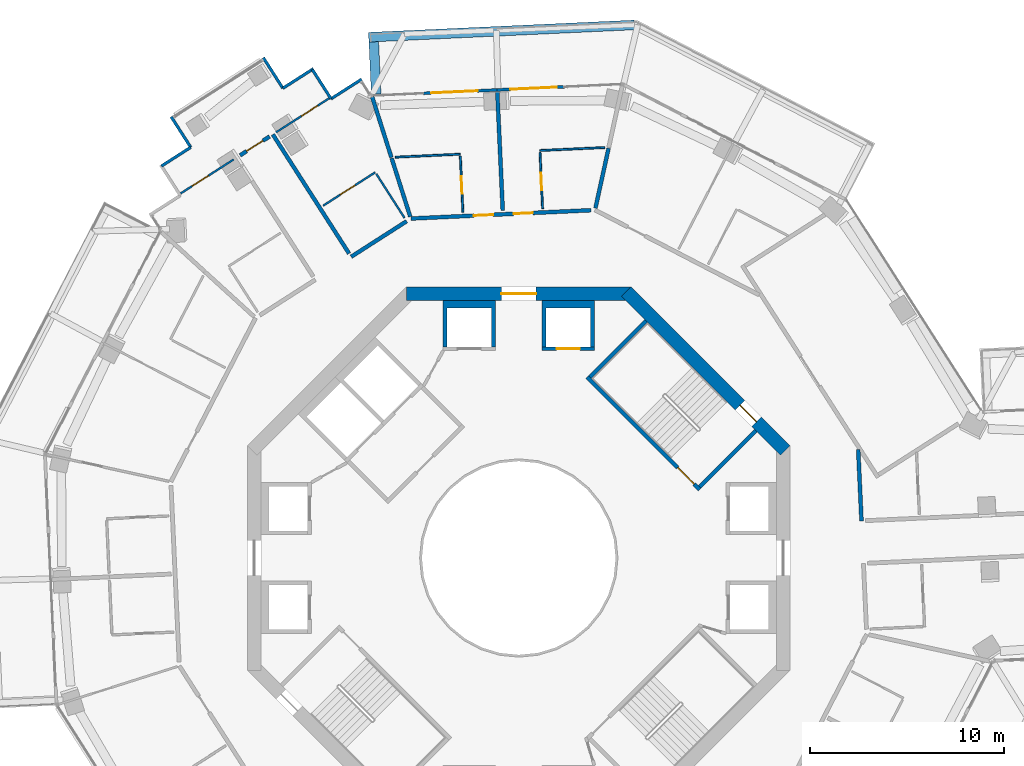
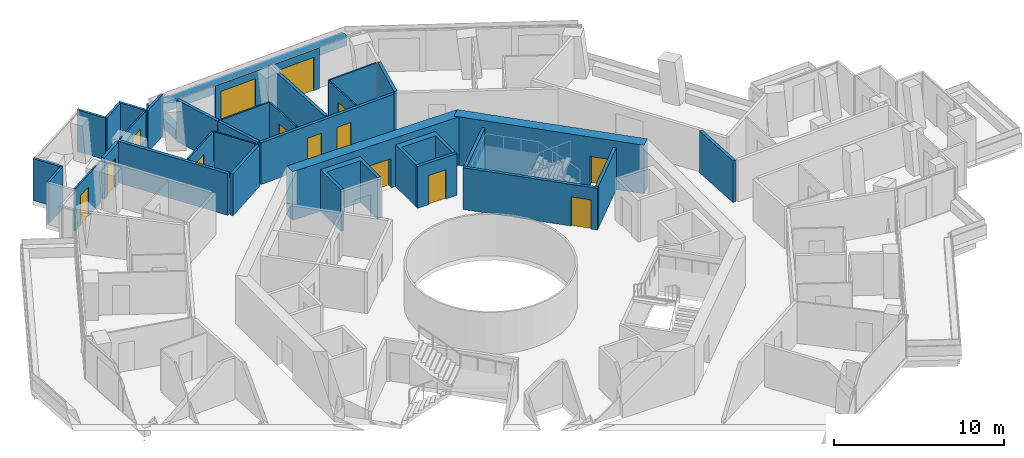
# One storey, part 18 of 22: 35 walls, 14 doors, 14 openings.
"""IFC4 building model written with IfcOpenShell, lengths in metres."""

from ifc_helpers import new_model, si_unit, direction, frame, frame_2d, origin, place, context, subcontext, project, spatial, polyline, rectangle, outline, extrude, material, layer, layer_set, type_object, element, fill, save


model = new_model("IFC4")

# Units and contexts
model_context = context("Model", 3, precision=1e-05, world=origin(), true_north=direction((0.0, 1.0)))
body_context = subcontext(model_context, "Body", "Model", "MODEL_VIEW")
ifc_project = project(units=[si_unit("LENGTHUNIT", "METRE"), si_unit("AREAUNIT", "SQUARE_METRE"), si_unit("VOLUMEUNIT", "CUBIC_METRE"), si_unit("PLANEANGLEUNIT", "RADIAN"), si_unit("MASSUNIT", "GRAM", prefix="KILO")], contexts=[model_context])

# Site, building, storey
site_placement = place(None, origin())
site = spatial("IfcSite", under=ifc_project, at=site_placement, CompositionType="ELEMENT")
building_placement = place(site_placement, origin())
building = spatial("IfcBuilding", under=site, at=building_placement, Name="Verdalira Terraces Hotel", CompositionType="ELEMENT")
storey_placement = place(building_placement, frame((0.0, 0.0, 165.5)))
storey = spatial("IfcBuildingStorey", under=building, at=storey_placement, Name="L40", CompositionType="ELEMENT", Elevation=165.5)

# Walls
ifc_material_1 = material(Name="Concrete C40", Category="concrete")
ifc_layer_1 = layer(ifc_material_1, 0.5)
ifc_layer_set_1 = layer_set([ifc_layer_1], Name="Balcony planter trough with tree")
wall_type_1 = type_object("IfcWallType", Name="Balcony planter trough with tree", PredefinedType="SOLIDWALL", material=ifc_layer_set_1)
wall_1_placement = place(storey_placement, frame((5.962646, 27.512207, 0.0), z_axis=(0.0, 0.0, 1.0), x_axis=(-0.998938764, -0.046058065, 0.0)))
element("IfcWall", 1, at=wall_1_placement, inside=storey, type_object=wall_type_1, Name="Balcony planter", PredefinedType="SOLIDWALL", context=body_context, shape_type="SweptSolid", body=[
    extrude(rectangle(XDim=13.723633, YDim=0.5, at=frame_2d((6.861816, 0.0))), origin(), (0.0, 0.0, 1.0), 0.699951),
])
wall_2_placement = place(storey_placement, frame((-7.485107, 26.641846, 0.0), z_axis=(0.0, 0.0, 1.0), x_axis=(0.046043663, -0.998939428, 0.0)))
element("IfcWall", 2, at=wall_2_placement, inside=storey, type_object=wall_type_1, Name="Balcony planter", PredefinedType="SOLIDWALL", context=body_context, shape_type="SweptSolid", body=[
    extrude(rectangle(XDim=2.698975, YDim=0.5, at=frame_2d((1.349609, 0.0))), origin(), (0.0, 0.0, 1.0), 0.699951),
])

# Wall, opening, door
ifc_material_2 = material(Name="Moisture-resistant gypsum board partition")
ifc_layer_2 = layer(ifc_material_2, 0.10009765625)
ifc_layer_set_2 = layer_set([ifc_layer_2], Name="Bathroom partition 100 mm")
wall_type_2 = type_object("IfcWallType", Name="Bathroom partition 100 mm", PredefinedType="PARTITIONING", material=ifc_layer_set_2)
wall_3_placement = place(storey_placement, frame((-14.718018, 20.568359, 0.0), z_axis=(0.0, 0.0, 1.0), x_axis=(-0.842040901, -0.539413683, 0.0)))
wall_3 = element("IfcWall", 3, at=wall_3_placement, inside=storey, type_object=wall_type_2, Name="Bathroom partition", PredefinedType="PARTITIONING", context=body_context, shape_type="SweptSolid", body=[
    extrude(rectangle(XDim=3.251953, YDim=0.100098, at=frame_2d((1.625977, 0.0))), origin(), (0.0, 0.0, 1.0), 3.0),
])
opening_1_placement = place(wall_3_placement, frame((1.550049, 0.0, 0.0)))
opening_1 = element("IfcOpeningElement", 4, at=opening_1_placement, cuts=wall_3, Name="Opening L40-103", PredefinedType="OPENING", context=body_context, shape_type="SweptSolid", body=[
    extrude(rectangle(XDim=1.0, YDim=2.100098, at=frame_2d((0.5, 1.050049))), frame((0.0, 0.060059, 0.0), z_axis=(0.0, -1.0, 0.0), x_axis=(1.0, 0.0, 0.0)), (0.0, 0.0, 1.0), 0.120117),
])
ifc_material_3 = material(Name="Timber door", Category="wood")
door_type_1 = type_object("IfcDoorType", Name="Suite internal door 1000 x 2100", OperationType="NOTDEFINED", PredefinedType="DOOR", material=ifc_material_3)
door_1_placement = place(opening_1_placement, origin())
door_1 = element("IfcDoor", 5, at=door_1_placement, inside=storey, type_object=door_type_1, Name="Suite internal door 4001", OperationType="SINGLE_SWING_LEFT", OverallHeight=2.10009765625, OverallWidth=1.0, PredefinedType="DOOR", context=body_context, shape_type="SweptSolid", body=[
    extrude(rectangle(XDim=1.0, YDim=2.100098, at=frame_2d((0.5, 1.050049))), frame((0.0, 0.024902, 0.0), z_axis=(0.0, -1.0, 0.0), x_axis=(1.0, 0.0, 0.0)), (0.0, 0.0, 1.0), 0.050049),
])
fill(opening_1, door_1)

wall_4_placement = place(storey_placement, frame((-9.790283, 23.724609, 0.0), z_axis=(0.0, 0.0, 1.0), x_axis=(-0.842075, -0.539360449, 0.0)))
wall_4 = element("IfcWall", 6, at=wall_4_placement, inside=storey, type_object=wall_type_2, Name="Bathroom partition", PredefinedType="PARTITIONING", context=body_context, shape_type="SweptSolid", body=[
    extrude(rectangle(XDim=3.251709, YDim=0.100098, at=frame_2d((1.625977, 0.0))), origin(), (0.0, 0.0, 1.0), 3.0),
])
opening_2_placement = place(wall_4_placement, frame((0.699951, 0.0, 0.0)))
opening_2 = element("IfcOpeningElement", 7, at=opening_2_placement, cuts=wall_4, Name="Opening L40-102", PredefinedType="OPENING", context=body_context, shape_type="SweptSolid", body=[
    extrude(rectangle(XDim=1.0, YDim=2.100098, at=frame_2d((0.5, 1.050049))), frame((0.0, 0.060059, 0.0), z_axis=(0.0, -1.0, 0.0), x_axis=(1.0, 0.0, 0.0)), (0.0, 0.0, 1.0), 0.120117),
])
door_2_placement = place(opening_2_placement, origin())
door_2 = element("IfcDoor", 8, at=door_2_placement, inside=storey, type_object=door_type_1, Name="Suite internal door 4001", OperationType="SINGLE_SWING_LEFT", OverallHeight=2.10009765625, OverallWidth=1.0, PredefinedType="DOOR", context=body_context, shape_type="SweptSolid", body=[
    extrude(rectangle(XDim=1.0, YDim=2.100098, at=frame_2d((0.5, 1.050049))), frame((0.0, 0.024902, 0.0), z_axis=(0.0, -1.0, 0.0), x_axis=(1.0, 0.0, 0.0)), (0.0, 0.0, 1.0), 0.050049),
])
fill(opening_2, door_2)

wall_5_placement = place(storey_placement, frame((-7.406738, 19.907227, 0.0), z_axis=(0.0, 0.0, 1.0), x_axis=(-0.842109253, -0.539306968, 0.0)))
wall_5 = element("IfcWall", 9, at=wall_5_placement, inside=storey, type_object=wall_type_2, Name="Bathroom partition", PredefinedType="PARTITIONING", context=body_context, shape_type="SweptSolid", body=[
    extrude(rectangle(XDim=3.200195, YDim=0.100098, at=frame_2d((1.600098, 0.0))), origin(), (0.0, 0.0, 1.0), 3.0),
])
opening_3_placement = place(wall_5_placement, frame((1.25, 0.0, 0.0)))
opening_3 = element("IfcOpeningElement", 10, at=opening_3_placement, cuts=wall_5, Name="Opening L40-104", PredefinedType="OPENING", context=body_context, shape_type="SweptSolid", body=[
    extrude(rectangle(XDim=0.899902, YDim=2.100098, at=frame_2d((0.449951, 1.050049))), frame((0.0, 0.060059, 0.0), z_axis=(0.0, -1.0, 0.0), x_axis=(1.0, 0.0, 0.0)), (0.0, 0.0, 1.0), 0.120117),
])
ifc_material_4 = material(Name="Timber door", Category="wood")
door_type_2 = type_object("IfcDoorType", Name="Bathroom door 900 x 2100", OperationType="NOTDEFINED", PredefinedType="DOOR", material=ifc_material_4)
door_3_placement = place(opening_3_placement, origin())
door_3 = element("IfcDoor", 11, at=door_3_placement, inside=storey, type_object=door_type_2, Name="Bathroom door 4001", OperationType="SINGLE_SWING_LEFT", OverallHeight=2.10009765625, OverallWidth=0.89990234375, PredefinedType="DOOR", context=body_context, shape_type="SweptSolid", body=[
    extrude(rectangle(XDim=0.899902, YDim=2.100098, at=frame_2d((0.449951, 1.050049))), frame((0.0, 0.024902, 0.0), z_axis=(0.0, -1.0, 0.0), x_axis=(1.0, 0.0, 0.0)), (0.0, 0.0, 1.0), 0.050049),
])
fill(opening_3, door_3)

# Walls
wall_6_placement = place(storey_placement, frame((-5.896484, 17.549316, 0.0), z_axis=(0.0, 0.0, 1.0), x_axis=(-0.539353864, 0.842079218, 0.0)))
element("IfcWall", 12, at=wall_6_placement, inside=storey, type_object=wall_type_2, Name="Bathroom partition", PredefinedType="PARTITIONING", context=body_context, shape_type="SweptSolid", body=[
    extrude(rectangle(XDim=2.700195, YDim=0.100098, at=frame_2d((1.350098, 0.0))), origin(), (0.0, 0.0, 1.0), 3.0),
])
wall_7_placement = place(storey_placement, frame((-6.368408, 20.687012, 0.0), z_axis=(0.0, 0.0, 1.0), x_axis=(0.998939035, 0.04605219, 0.0)))
element("IfcWall", 13, at=wall_7_placement, inside=storey, type_object=wall_type_2, Name="Bathroom partition", PredefinedType="PARTITIONING", context=body_context, shape_type="SweptSolid", body=[
    extrude(rectangle(XDim=3.350586, YDim=0.100098, at=frame_2d((1.675293, 0.0))), origin(), (0.0, 0.0, 1.0), 3.0),
])

# Wall, opening, door
wall_8_placement = place(storey_placement, frame((-2.883301, 17.844482, 0.0), z_axis=(0.0, 0.0, 1.0), x_axis=(-0.046049193, 0.998939173, 0.0)))
wall_8 = element("IfcWall", 14, at=wall_8_placement, inside=storey, type_object=wall_type_2, Name="Bathroom partition", PredefinedType="PARTITIONING", context=body_context, shape_type="SweptSolid", body=[
    extrude(rectangle(XDim=2.900146, YDim=0.100098, at=frame_2d((1.450195, 0.0))), origin(), (0.0, 0.0, 1.0), 3.0),
])
opening_4_placement = place(wall_8_placement, frame((0.949951, 0.0, 0.0)))
opening_4 = element("IfcOpeningElement", 15, at=opening_4_placement, cuts=wall_8, Name="Opening L40-139", PredefinedType="OPENING", context=body_context, shape_type="SweptSolid", body=[
    extrude(rectangle(XDim=0.899902, YDim=2.100098, at=frame_2d((0.449951, 1.050049))), frame((0.0, 0.060059, 0.0), z_axis=(0.0, -1.0, 0.0), x_axis=(1.0, 0.0, 0.0)), (0.0, 0.0, 1.0), 0.120117),
])
door_4_placement = place(opening_4_placement, origin())
door_4 = element("IfcDoor", 16, at=door_4_placement, inside=storey, type_object=door_type_2, Name="Bathroom door 4012", OperationType="SINGLE_SWING_RIGHT", OverallHeight=2.10009765625, OverallWidth=0.89990234375, PredefinedType="DOOR", context=body_context, shape_type="SweptSolid", body=[
    extrude(rectangle(XDim=0.899902, YDim=2.100098, at=frame_2d((0.449951, 1.050049))), frame((0.0, 0.024902, 0.0), z_axis=(0.0, -1.0, 0.0), x_axis=(1.0, 0.0, 0.0)), (0.0, 0.0, 1.0), 0.050049),
])
fill(opening_4, door_4)

wall_9_placement = place(storey_placement, frame((1.095459, 20.930908, 0.0), z_axis=(0.0, 0.0, 1.0), x_axis=(0.046053066, -0.998938995, 0.0)))
wall_9 = element("IfcWall", 17, at=wall_9_placement, inside=storey, type_object=wall_type_2, Name="Bathroom partition", PredefinedType="PARTITIONING", context=body_context, shape_type="SweptSolid", body=[
    extrude(rectangle(XDim=2.899902, YDim=0.100098, at=frame_2d((1.449951, 0.0))), origin(), (0.0, 0.0, 1.0), 3.0),
])
opening_5_placement = place(wall_9_placement, frame((1.050049, 0.0, 0.0)))
opening_5 = element("IfcOpeningElement", 18, at=opening_5_placement, cuts=wall_9, Name="Opening L40-137", PredefinedType="OPENING", context=body_context, shape_type="SweptSolid", body=[
    extrude(rectangle(XDim=0.899902, YDim=2.100098, at=frame_2d((0.449951, 1.050049))), frame((0.0, 0.060059, 0.0), z_axis=(0.0, -1.0, 0.0), x_axis=(1.0, 0.0, 0.0)), (0.0, 0.0, 1.0), 0.120117),
])
door_5_placement = place(opening_5_placement, origin())
door_5 = element("IfcDoor", 19, at=door_5_placement, inside=storey, type_object=door_type_2, Name="Bathroom door 4011", OperationType="SINGLE_SWING_LEFT", OverallHeight=2.10009765625, OverallWidth=0.89990234375, PredefinedType="DOOR", context=body_context, shape_type="SweptSolid", body=[
    extrude(rectangle(XDim=0.899902, YDim=2.100098, at=frame_2d((0.449951, 1.050049))), frame((0.0, 0.024902, 0.0), z_axis=(0.0, -1.0, 0.0), x_axis=(1.0, 0.0, 0.0)), (0.0, 0.0, 1.0), 0.050049),
])
fill(opening_5, door_5)

# Walls
wall_10_placement = place(storey_placement, frame((1.09082, 21.031006, 0.0), z_axis=(0.0, 0.0, 1.0), x_axis=(0.998938881, 0.046055542, 0.0)))
element("IfcWall", 20, at=wall_10_placement, inside=storey, type_object=wall_type_2, Name="Bathroom partition", PredefinedType="PARTITIONING", context=body_context, shape_type="SweptSolid", body=[
    extrude(rectangle(XDim=3.350342, YDim=0.100098, at=frame_2d((1.675293, 0.0))), origin(), (0.0, 0.0, 1.0), 3.0),
])
ifc_material_5 = material(Name="Concrete C50", Category="concrete")
ifc_layer_3 = layer(ifc_material_5, 0.199951171875)
ifc_layer_set_3 = layer_set([ifc_layer_3], Name="Core RC wall 200 C50")
wall_type_3 = type_object("IfcWallType", Name="Core RC wall 200 C50", PredefinedType="SOLIDWALL", material=ifc_layer_set_3)
wall_11_placement = place(storey_placement, origin())
element("IfcWall", 21, at=wall_11_placement, inside=storey, type_object=wall_type_3, Name="L40 shaft wall N1", PredefinedType="SOLIDWALL", context=body_context, shape_type="SweptSolid", body=[
    extrude(outline(polyline([(3.899902, 13.300049), (3.899902, 10.899902), (3.699951, 10.899902), (3.699951, 12.899902), (1.399902, 12.899902), (1.399902, 10.899902), (1.199951, 10.899902), (1.199951, 13.300049), (3.899902, 13.300049)])), origin(), (0.0, 0.0, 1.0), 3.0),
])

# Wall, opening, door
wall_12_placement = place(storey_placement, frame((1.199951, 10.800049, 0.0), z_axis=(0.0, 0.0, 1.0), x_axis=(1.0, 0.0, 0.0)))
wall_12 = element("IfcWall", 22, at=wall_12_placement, inside=storey, type_object=wall_type_3, Name="L40 shaft front wall N1", PredefinedType="SOLIDWALL", context=body_context, shape_type="SweptSolid", body=[
    extrude(rectangle(XDim=2.699951, YDim=0.199951, at=frame_2d((1.350098, 0.0))), origin(), (0.0, 0.0, 1.0), 3.0),
])
opening_6_placement = place(wall_12_placement, frame((0.75, 0.0, 0.0)))
opening_6 = element("IfcOpeningElement", 23, at=opening_6_placement, cuts=wall_12, Name="Opening LD-L40-803", PredefinedType="OPENING", context=body_context, shape_type="SweptSolid", body=[
    extrude(rectangle(XDim=1.199951, YDim=2.100098, at=frame_2d((0.600098, 1.050049))), frame((0.0, 0.109863, 0.0), z_axis=(0.0, -1.0, 0.0), x_axis=(1.0, 0.0, 0.0)), (0.0, 0.0, 1.0), 0.219971),
])
ifc_material_6 = material(Name="Stainless steel", Category="steel")
door_type_3 = type_object("IfcDoorType", Name="Landing door 1200 x 2100", OperationType="NOTDEFINED", PredefinedType="DOOR", material=ifc_material_6)
door_6_placement = place(opening_6_placement, origin())
door_6 = element("IfcDoor", 24, at=door_6_placement, inside=storey, type_object=door_type_3, Name="Lift landing door LR3 L40", OperationType="DOUBLE_DOOR_SLIDING", OverallHeight=2.10009765625, OverallWidth=1.199951171875, PredefinedType="DOOR", context=body_context, shape_type="SweptSolid", body=[
    extrude(rectangle(XDim=1.199951, YDim=2.100098, at=frame_2d((0.600098, 1.050049))), frame((0.0, 0.024902, 0.0), z_axis=(0.0, -1.0, 0.0), x_axis=(1.0, 0.0, 0.0)), (0.0, 0.0, 1.0), 0.050049),
])
fill(opening_6, door_6)

# Wall
wall_13_placement = place(storey_placement, origin())
element("IfcWall", 25, at=wall_13_placement, inside=storey, type_object=wall_type_3, Name="L40 shaft wall N2", PredefinedType="SOLIDWALL", context=body_context, shape_type="SweptSolid", body=[
    extrude(outline(polyline([(-3.899902, 10.899902), (-3.899902, 13.300049), (-1.199951, 13.300049), (-1.199951, 10.899902), (-1.399902, 10.899902), (-1.399902, 12.899902), (-3.699951, 12.899902), (-3.699951, 10.899902), (-3.899902, 10.899902)])), origin(), (0.0, 0.0, 1.0), 3.0),
])

# Wall, opening, door
wall_14_placement = place(storey_placement, frame((3.5354, 9.33374, 0.0), z_axis=(0.0, 0.0, 1.0), x_axis=(0.707106781, -0.707106781, 0.0)))
wall_14 = element("IfcWall", 26, at=wall_14_placement, inside=storey, type_object=wall_type_3, Name="L40 stair ST1 front wall", PredefinedType="SOLIDWALL", context=body_context, shape_type="SweptSolid", body=[
    extrude(rectangle(XDim=8.200195, YDim=0.199951, at=frame_2d((4.100098, 0.0))), origin(), (0.0, 0.0, 1.0), 3.0),
])
opening_7_placement = place(wall_14_placement, frame((6.600098, 0.0, 0.0)))
opening_7 = element("IfcOpeningElement", 27, at=opening_7_placement, cuts=wall_14, Name="Opening L40-809", PredefinedType="OPENING", context=body_context, shape_type="SweptSolid", body=[
    extrude(rectangle(XDim=1.199951, YDim=2.100098, at=frame_2d((0.600098, 1.050049))), frame((0.0, 0.109863, 0.0), z_axis=(0.0, -1.0, 0.0), x_axis=(1.0, 0.0, 0.0)), (0.0, 0.0, 1.0), 0.219971),
])
ifc_material_7 = material(Name="Steel fire door", Category="steel")
door_type_4 = type_object("IfcDoorType", Name="Stair door 1200 x 2100", OperationType="NOTDEFINED", PredefinedType="DOOR", material=ifc_material_7)
door_7_placement = place(opening_7_placement, origin())
door_7 = element("IfcDoor", 28, at=door_7_placement, inside=storey, type_object=door_type_4, Name="Stair door ST1 L40", OperationType="SINGLE_SWING_RIGHT", OverallHeight=2.10009765625, OverallWidth=1.199951171875, PredefinedType="DOOR", context=body_context, shape_type="SweptSolid", body=[
    extrude(rectangle(XDim=1.199951, YDim=2.100098, at=frame_2d((0.600098, 1.050049))), frame((0.0, 0.024902, 0.0), z_axis=(0.0, -1.0, 0.0), x_axis=(1.0, 0.0, 0.0)), (0.0, 0.0, 1.0), 0.050049),
])
fill(opening_7, door_7)

# Walls
for number, where, z_axis, x_axis, name in (
    (29, (9.33374, 3.677002, 0.0), (0.0, 0.0, 1.0), (0.707106781, 0.707106781, 0.0), "L40 stair ST1 end wall 1"),
    (30, (3.677002, 9.33374, 0.0), (0.0, 0.0, 1.0), (0.707106781, 0.707106781, 0.0), "L40 stair ST1 end wall 2"),
):
    element("IfcWall", number, at=place(storey_placement, frame(where, z_axis=z_axis, x_axis=x_axis)), inside=storey, type_object=wall_type_3, Name=name, PredefinedType="SOLIDWALL", context=body_context, shape_type="SweptSolid", body=[
        extrude(rectangle(XDim=4.100098, YDim=0.199951, at=frame_2d((2.050049, 0.0))), origin(), (0.0, 0.0, 1.0), 3.0),
    ])

# Wall, opening, door
ifc_material_8 = material(Name="Concrete C60", Category="concrete")
ifc_layer_4 = layer(ifc_material_8, 0.699951171875)
ifc_layer_set_4 = layer_set([ifc_layer_4], Name="Core wall 700 C60")
wall_type_4 = type_object("IfcWallType", Name="Core wall 700 C60", PredefinedType="SHEAR", material=ifc_layer_set_4)
wall_15_placement = place(storey_placement, frame((13.752441, 5.551514, 0.0), z_axis=(0.0, 0.0, 1.0), x_axis=(-0.707106781, 0.707106781, 0.0)))
wall_15 = element("IfcWall", 31, at=wall_15_placement, inside=storey, type_object=wall_type_4, Name="Core wall CW-L40-2", PredefinedType="SHEAR", context=body_context, shape_type="SweptSolid", body=[
    extrude(rectangle(XDim=11.5979, YDim=0.699951, at=frame_2d((5.798828, 0.0))), origin(), (0.0, 0.0, 1.0), 3.5),
])
opening_8_placement = place(wall_15_placement, frame((2.099121, 0.0, 0.0)))
opening_8 = element("IfcOpeningElement", 32, at=opening_8_placement, cuts=wall_15, Name="Opening L40-816", PredefinedType="OPENING", context=body_context, shape_type="SweptSolid", body=[
    extrude(rectangle(XDim=1.199951, YDim=2.100098, at=frame_2d((0.600098, 1.050049))), frame((0.0, 0.359863, 0.0), z_axis=(0.0, -1.0, 0.0), x_axis=(1.0, 0.0, 0.0)), (0.0, 0.0, 1.0), 0.719971),
])
door_8_placement = place(opening_8_placement, origin())
door_8 = element("IfcDoor", 33, at=door_8_placement, inside=storey, type_object=door_type_4, Name="Stair exit door ST1 L40", OperationType="SINGLE_SWING_LEFT", OverallHeight=2.10009765625, OverallWidth=1.199951171875, PredefinedType="DOOR", context=body_context, shape_type="SweptSolid", body=[
    extrude(rectangle(XDim=1.199951, YDim=2.100098, at=frame_2d((0.600098, 1.050049))), frame((0.0, 0.024902, 0.0), z_axis=(0.0, -1.0, 0.0), x_axis=(1.0, 0.0, 0.0)), (0.0, 0.0, 1.0), 0.050049),
])
fill(opening_8, door_8)

wall_16_placement = place(storey_placement, frame((5.799072, 13.649902, 0.0), z_axis=(0.0, 0.0, 1.0), x_axis=(-1.0, 0.0, 0.0)))
wall_16 = element("IfcWall", 34, at=wall_16_placement, inside=storey, type_object=wall_type_4, Name="Core wall CW-L40-3", PredefinedType="SHEAR", context=body_context, shape_type="SweptSolid", body=[
    extrude(rectangle(XDim=11.598145, YDim=0.699951, at=frame_2d((5.799072, 0.0))), origin(), (0.0, 0.0, 1.0), 3.5),
])
opening_9_placement = place(wall_16_placement, frame((4.898926, 0.0, 0.0)))
opening_9 = element("IfcOpeningElement", 35, at=opening_9_placement, cuts=wall_16, Name="Opening L40-813", PredefinedType="OPENING", context=body_context, shape_type="SweptSolid", body=[
    extrude(rectangle(XDim=1.800049, YDim=2.100098, at=frame_2d((0.899902, 1.050049))), frame((0.0, 0.359863, 0.0), z_axis=(0.0, -1.0, 0.0), x_axis=(1.0, 0.0, 0.0)), (0.0, 0.0, 1.0), 0.719971),
])
ifc_material_9 = material(Name="Steel fire door", Category="steel")
door_type_5 = type_object("IfcDoorType", Name="Core entry door pair 1800 x 2100", OperationType="NOTDEFINED", PredefinedType="DOOR", material=ifc_material_9)
door_9_placement = place(opening_9_placement, origin())
door_9 = element("IfcDoor", 36, at=door_9_placement, inside=storey, type_object=door_type_5, Name="Core entry door L40 2", OperationType="DOUBLE_DOOR_SINGLE_SWING", OverallHeight=2.10009765625, OverallWidth=1.800048828125, PredefinedType="DOOR", context=body_context, shape_type="SweptSolid", body=[
    extrude(rectangle(XDim=1.800049, YDim=2.100098, at=frame_2d((0.899902, 1.050049))), frame((0.0, 0.024902, 0.0), z_axis=(0.0, -1.0, 0.0), x_axis=(1.0, 0.0, 0.0)), (0.0, 0.0, 1.0), 0.050049),
])
fill(opening_9, door_9)

# Walls
ifc_material_10 = material(Name="Fire-rated gypsum board wall")
ifc_layer_5 = layer(ifc_material_10, 0.199951171875)
ifc_layer_set_5 = layer_set([ifc_layer_5], Name="Demising wall 200 mm")
wall_type_5 = type_object("IfcWallType", Name="Demising wall 200 mm", PredefinedType="SOLIDWALL", material=ifc_layer_set_5)
wall_17_placement = place(storey_placement, frame((-7.564941, 23.790283, 0.0), z_axis=(0.0, 0.0, 1.0), x_axis=(0.303021759, -0.952983638, 0.0)))
element("IfcWall", 37, at=wall_17_placement, inside=storey, type_object=wall_type_5, Name="Demising wall", PredefinedType="SOLIDWALL", context=body_context, shape_type="SweptSolid", body=[
    extrude(rectangle(XDim=3.268555, YDim=0.199951, at=frame_2d((1.634277, 0.0))), origin(), (0.0, 0.0, 1.0), 3.0),
])
wall_18_placement = place(storey_placement, frame((-6.560547, 20.631592, 0.0), z_axis=(0.0, 0.0, 1.0), x_axis=(0.303037898, -0.952978506, 0.0)))
element("IfcWall", 38, at=wall_18_placement, inside=storey, type_object=wall_type_5, Name="Demising wall", PredefinedType="SOLIDWALL", context=body_context, shape_type="SweptSolid", body=[
    extrude(rectangle(XDim=3.161377, YDim=0.199951, at=frame_2d((1.580566, 0.0))), origin(), (0.0, 0.0, 1.0), 3.0),
])
wall_19_placement = place(storey_placement, frame((-0.827148, 17.939209, 0.0), z_axis=(0.0, 0.0, 1.0), x_axis=(-0.046048699, 0.998939196, 0.0)))
element("IfcWall", 39, at=wall_19_placement, inside=storey, type_object=wall_type_5, Name="Demising wall", PredefinedType="SOLIDWALL", context=body_context, shape_type="SweptSolid", body=[
    extrude(rectangle(XDim=6.150146, YDim=0.199951, at=frame_2d((3.075195, 0.0))), origin(), (0.0, 0.0, 1.0), 3.0),
])
wall_20_placement = place(storey_placement, frame((3.95752, 18.059814, 0.0), z_axis=(0.0, 0.0, 1.0), x_axis=(0.214067658, 0.976818836, 0.0)))
element("IfcWall", 40, at=wall_20_placement, inside=storey, type_object=wall_type_5, Name="Demising wall", PredefinedType="SOLIDWALL", context=body_context, shape_type="SweptSolid", body=[
    extrude(rectangle(XDim=3.161377, YDim=0.199951, at=frame_2d((1.580566, 0.0))), origin(), (0.0, 0.0, 1.0), 3.0),
])

# Wall, opening, door
ifc_material_11 = material(Name="Fire-rated gypsum board wall")
ifc_layer_6 = layer(ifc_material_11, 0.199951171875)
ifc_layer_set_6 = layer_set([ifc_layer_6], Name="Guest corridor wall 200 mm")
wall_type_6 = type_object("IfcWallType", Name="Guest corridor wall 200 mm", PredefinedType="SOLIDWALL", material=ifc_layer_set_6)
wall_21_placement = place(storey_placement, frame((-14.382812, 20.782959, 0.0), z_axis=(0.0, 0.0, 1.0), x_axis=(0.842091923, 0.539334027, 0.0)))
wall_21 = element("IfcWall", 41, at=wall_21_placement, inside=storey, type_object=wall_type_6, Name="Guest corridor wall", PredefinedType="SOLIDWALL", context=body_context, shape_type="SweptSolid", body=[
    extrude(rectangle(XDim=1.803955, YDim=0.199951, at=frame_2d((0.901855, 0.0))), origin(), (0.0, 0.0, 1.0), 3.0),
])
opening_10_placement = place(wall_21_placement, frame((0.399902, 0.0, 0.0)))
opening_10 = element("IfcOpeningElement", 42, at=opening_10_placement, cuts=wall_21, Name="Opening L40-101", PredefinedType="OPENING", context=body_context, shape_type="SweptSolid", body=[
    extrude(rectangle(XDim=1.0, YDim=2.100098, at=frame_2d((0.5, 1.050049))), frame((0.0, 0.109863, 0.0), z_axis=(0.0, -1.0, 0.0), x_axis=(1.0, 0.0, 0.0)), (0.0, 0.0, 1.0), 0.219971),
])
ifc_material_12 = material(Name="Timber fire door", Category="wood")
door_type_6 = type_object("IfcDoorType", Name="Guest entry door 1000 x 2100", OperationType="NOTDEFINED", PredefinedType="DOOR", material=ifc_material_12)
door_10_placement = place(opening_10_placement, origin())
door_10 = element("IfcDoor", 43, at=door_10_placement, inside=storey, type_object=door_type_6, Name="Guest entry door 4001", OperationType="SINGLE_SWING_LEFT", OverallHeight=2.10009765625, OverallWidth=1.0, PredefinedType="DOOR", context=body_context, shape_type="SweptSolid", body=[
    extrude(rectangle(XDim=1.0, YDim=2.100098, at=frame_2d((0.5, 1.050049))), frame((0.0, 0.024902, 0.0), z_axis=(0.0, -1.0, 0.0), x_axis=(1.0, 0.0, 0.0)), (0.0, 0.0, 1.0), 0.050049),
])
fill(opening_10, door_10)

# Walls
wall_22_placement = place(storey_placement, frame((-8.759766, 15.715576, 0.0), z_axis=(0.0, 0.0, 1.0), x_axis=(-0.539348812, 0.842082454, 0.0)))
element("IfcWall", 44, at=wall_22_placement, inside=storey, type_object=wall_type_6, Name="Guest corridor wall", PredefinedType="SOLIDWALL", context=body_context, shape_type="SweptSolid", body=[
    extrude(rectangle(XDim=7.300049, YDim=0.199951, at=frame_2d((3.649902, 0.0))), origin(), (0.0, 0.0, 1.0), 3.0),
])
wall_23_placement = place(storey_placement, frame((-5.788818, 17.381104, 0.0), z_axis=(0.0, 0.0, 1.0), x_axis=(-0.84205225, -0.539395967, 0.0)))
element("IfcWall", 45, at=wall_23_placement, inside=storey, type_object=wall_type_6, Name="Guest corridor wall", PredefinedType="SOLIDWALL", context=body_context, shape_type="SweptSolid", body=[
    extrude(rectangle(XDim=3.400146, YDim=0.199951, at=frame_2d((1.700195, 0.0))), origin(), (0.0, 0.0, 1.0), 3.0),
])

# Wall, openings, doors
wall_24_placement = place(storey_placement, frame((-5.571289, 17.520264, 0.0), z_axis=(0.0, 0.0, 1.0), x_axis=(0.998938336, 0.046067354, 0.0)))
wall_24 = element("IfcWall", 46, at=wall_24_placement, inside=storey, type_object=wall_type_6, Name="Guest corridor wall", PredefinedType="SOLIDWALL", context=body_context, shape_type="SweptSolid", body=[
    extrude(rectangle(XDim=9.316895, YDim=0.199951, at=frame_2d((4.658447, 0.0))), origin(), (0.0, 0.0, 1.0), 3.0),
])
opening_11_placement = place(wall_24_placement, frame((5.30835, 0.0, 0.0)))
opening_11 = element("IfcOpeningElement", 47, at=opening_11_placement, cuts=wall_24, Name="Opening L40-136", PredefinedType="OPENING", context=body_context, shape_type="SweptSolid", body=[
    extrude(rectangle(XDim=1.0, YDim=2.100098, at=frame_2d((0.5, 1.050049))), frame((0.0, 0.109863, 0.0), z_axis=(0.0, -1.0, 0.0), x_axis=(1.0, 0.0, 0.0)), (0.0, 0.0, 1.0), 0.219971),
])
opening_12_placement = place(wall_24_placement, frame((3.25, 0.0, 0.0)))
opening_12 = element("IfcOpeningElement", 48, at=opening_12_placement, cuts=wall_24, Name="Opening L40-138", PredefinedType="OPENING", context=body_context, shape_type="SweptSolid", body=[
    extrude(rectangle(XDim=1.0, YDim=2.100098, at=frame_2d((0.5, 1.050049))), frame((0.0, 0.109863, 0.0), z_axis=(0.0, -1.0, 0.0), x_axis=(1.0, 0.0, 0.0)), (0.0, 0.0, 1.0), 0.219971),
])
door_11_placement = place(opening_11_placement, origin())
door_11 = element("IfcDoor", 49, at=door_11_placement, inside=storey, type_object=door_type_6, Name="Guest entry door 4011", OperationType="SINGLE_SWING_LEFT", OverallHeight=2.10009765625, OverallWidth=1.0, PredefinedType="DOOR", context=body_context, shape_type="SweptSolid", body=[
    extrude(rectangle(XDim=1.0, YDim=2.100098, at=frame_2d((0.5, 1.050049))), frame((0.0, 0.024902, 0.0), z_axis=(0.0, -1.0, 0.0), x_axis=(1.0, 0.0, 0.0)), (0.0, 0.0, 1.0), 0.050049),
])
fill(opening_11, door_11)
door_12_placement = place(opening_12_placement, origin())
door_12 = element("IfcDoor", 50, at=door_12_placement, inside=storey, type_object=door_type_6, Name="Guest entry door 4012", OperationType="SINGLE_SWING_RIGHT", OverallHeight=2.10009765625, OverallWidth=1.0, PredefinedType="DOOR", context=body_context, shape_type="SweptSolid", body=[
    extrude(rectangle(XDim=1.0, YDim=2.100098, at=frame_2d((0.5, 1.050049))), frame((0.0, 0.024902, 0.0), z_axis=(0.0, -1.0, 0.0), x_axis=(1.0, 0.0, 0.0)), (0.0, 0.0, 1.0), 0.050049),
])
fill(opening_12, door_12)

# Walls
wall_25_placement = place(storey_placement, frame((17.688721, 1.916748, 0.0), z_axis=(0.0, 0.0, 1.0), x_axis=(-0.046060953, 0.998938631, 0.0)))
element("IfcWall", 51, at=wall_25_placement, inside=storey, type_object=wall_type_6, Name="Guest corridor wall", PredefinedType="SOLIDWALL", context=body_context, shape_type="SweptSolid", body=[
    extrude(rectangle(XDim=3.678467, YDim=0.199951, at=frame_2d((1.839355, 0.0))), origin(), (0.0, 0.0, 1.0), 3.0),
])
ifc_material_13 = material(Name="Terracotta cladding", Category="masonry")
ifc_layer_7 = layer(ifc_material_13, 0.14990234375)
ifc_layer_set_7 = layer_set([ifc_layer_7], Name="Terracotta clad wall 150")
wall_type_7 = type_object("IfcWallType", Name="Terracotta clad wall 150", PredefinedType="SOLIDWALL", material=ifc_layer_set_7)
wall_26_placement = place(storey_placement, frame((-8.109375, 24.712158, 0.0), z_axis=(0.0, 0.0, 1.0), x_axis=(-0.842086895, -0.539341877, 0.0)))
element("IfcWall", 52, at=wall_26_placement, inside=storey, type_object=wall_type_7, Name="Terracotta cladding wall", PredefinedType="SOLIDWALL", context=body_context, shape_type="SweptSolid", body=[
    extrude(rectangle(XDim=1.875, YDim=0.149902, at=frame_2d((0.9375, 0.0))), origin(), (0.0, 0.0, 1.0), 3.0),
])
wall_27_placement = place(storey_placement, frame((-9.688232, 23.700928, 0.0), z_axis=(0.0, 0.0, 1.0), x_axis=(-0.539426991, 0.842032376, 0.0)))
element("IfcWall", 53, at=wall_27_placement, inside=storey, type_object=wall_type_7, Name="Terracotta cladding wall", PredefinedType="SOLIDWALL", context=body_context, shape_type="SweptSolid", body=[
    extrude(rectangle(XDim=1.800049, YDim=0.149902, at=frame_2d((0.899902, 0.0))), origin(), (0.0, 0.0, 1.0), 3.0),
])
wall_28_placement = place(storey_placement, frame((-10.595947, 25.25708, 0.0), z_axis=(0.0, 0.0, 1.0), x_axis=(-0.842027755, -0.539434203, 0.0)))
element("IfcWall", 54, at=wall_28_placement, inside=storey, type_object=wall_type_7, Name="Terracotta cladding wall", PredefinedType="SOLIDWALL", context=body_context, shape_type="SweptSolid", body=[
    extrude(rectangle(XDim=1.875, YDim=0.149902, at=frame_2d((0.9375, 0.0))), origin(), (0.0, 0.0, 1.0), 3.0),
])
wall_29_placement = place(storey_placement, frame((-12.174805, 24.245605, 0.0), z_axis=(0.0, 0.0, 1.0), x_axis=(-0.539282743, 0.842124767, 0.0)))
element("IfcWall", 55, at=wall_29_placement, inside=storey, type_object=wall_type_7, Name="Terracotta cladding wall", PredefinedType="SOLIDWALL", context=body_context, shape_type="SweptSolid", body=[
    extrude(rectangle(XDim=1.875244, YDim=0.149902, at=frame_2d((0.9375, 0.0))), origin(), (0.0, 0.0, 1.0), 3.0),
])
wall_30_placement = place(storey_placement, frame((-17.943848, 22.7771, 0.0), z_axis=(0.0, 0.0, 1.0), x_axis=(0.539341877, -0.842086895, 0.0)))
element("IfcWall", 56, at=wall_30_placement, inside=storey, type_object=wall_type_7, Name="Terracotta cladding wall", PredefinedType="SOLIDWALL", context=body_context, shape_type="SweptSolid", body=[
    extrude(rectangle(XDim=1.875, YDim=0.149902, at=frame_2d((0.9375, 0.0))), origin(), (0.0, 0.0, 1.0), 3.0),
])
wall_31_placement = place(storey_placement, frame((-16.932617, 21.198242, 0.0), z_axis=(0.0, 0.0, 1.0), x_axis=(-0.842093983, -0.539330811, 0.0)))
element("IfcWall", 57, at=wall_31_placement, inside=storey, type_object=wall_type_7, Name="Terracotta cladding wall", PredefinedType="SOLIDWALL", context=body_context, shape_type="SweptSolid", body=[
    extrude(rectangle(XDim=1.799805, YDim=0.149902, at=frame_2d((0.899902, 0.0))), origin(), (0.0, 0.0, 1.0), 3.0),
])

# Wall, opening, door
ifc_material_14 = material(Name="Terracotta cladding", Category="masonry")
ifc_layer_8 = layer(ifc_material_14, 0.14990234375)
ifc_layer_set_8 = layer_set([ifc_layer_8], Name="Terracotta door pier 150")
wall_type_8 = type_object("IfcWallType", Name="Terracotta door pier 150", PredefinedType="SOLIDWALL", material=ifc_layer_set_8)
wall_32_placement = place(storey_placement, frame((2.357422, 24.317627, 0.0), z_axis=(0.0, 0.0, 1.0), x_axis=(-0.998940688, -0.046016327, 0.0)))
wall_32 = element("IfcWall", 58, at=wall_32_placement, inside=storey, type_object=wall_type_8, Name="Terracotta door pier", PredefinedType="SOLIDWALL", context=body_context, shape_type="SweptSolid", body=[
    extrude(rectangle(XDim=3.475098, YDim=0.149902, at=frame_2d((1.737549, 0.0))), origin(), (0.0, 0.0, 1.0), 2.935059),
])
opening_13_placement = place(wall_32_placement, frame((0.399902, 0.0, 0.0)))
opening_13 = element("IfcOpeningElement", 59, at=opening_13_placement, cuts=wall_32, Name="Opening L40-B15", PredefinedType="OPENING", context=body_context, shape_type="SweptSolid", body=[
    extrude(rectangle(XDim=2.399902, YDim=2.399902, at=frame_2d((1.199951, 1.199951))), frame((0.0, 0.084961, 0.0), z_axis=(0.0, -1.0, 0.0), x_axis=(1.0, 0.0, 0.0)), (0.0, 0.0, 1.0), 0.169922),
])
ifc_material_15 = material(Name="Clear glass", Category="glass")
door_type_7 = type_object("IfcDoorType", Name="Balcony sliding door 2400x2400", OperationType="NOTDEFINED", PredefinedType="DOOR", material=ifc_material_15)
door_13_placement = place(opening_13_placement, origin())
door_13 = element("IfcDoor", 60, at=door_13_placement, inside=storey, type_object=door_type_7, Name="Balcony sliding door", OperationType="SLIDING_TO_RIGHT", OverallHeight=2.39990234375, OverallWidth=2.39990234375, PredefinedType="DOOR", context=body_context, shape_type="SweptSolid", body=[
    extrude(rectangle(XDim=2.399902, YDim=2.399902, at=frame_2d((1.199951, 1.199951))), frame((0.0, 0.024902, 0.0), z_axis=(0.0, -1.0, 0.0), x_axis=(1.0, 0.0, 0.0)), (0.0, 0.0, 1.0), 0.050049),
])
fill(opening_13, door_13)

wall_33_placement = place(storey_placement, frame((-1.114014, 24.157715, 0.0), z_axis=(0.0, 0.0, 1.0), x_axis=(-0.99893729, -0.046090026, 0.0)))
wall_33 = element("IfcWall", 61, at=wall_33_placement, inside=storey, type_object=wall_type_8, Name="Terracotta door pier", PredefinedType="SOLIDWALL", context=body_context, shape_type="SweptSolid", body=[
    extrude(rectangle(XDim=3.813965, YDim=0.149902, at=frame_2d((1.906982, 0.0))), origin(), (0.0, 0.0, 1.0), 2.935059),
])
opening_14_placement = place(wall_33_placement, frame((1.013916, 0.0, 0.0)))
opening_14 = element("IfcOpeningElement", 62, at=opening_14_placement, cuts=wall_33, Name="Opening L40-B16", PredefinedType="OPENING", context=body_context, shape_type="SweptSolid", body=[
    extrude(rectangle(XDim=2.399902, YDim=2.399902, at=frame_2d((1.199951, 1.199951))), frame((0.0, 0.084961, 0.0), z_axis=(0.0, -1.0, 0.0), x_axis=(1.0, 0.0, 0.0)), (0.0, 0.0, 1.0), 0.169922),
])
door_14_placement = place(opening_14_placement, origin())
door_14 = element("IfcDoor", 63, at=door_14_placement, inside=storey, type_object=door_type_7, Name="Balcony sliding door", OperationType="SLIDING_TO_LEFT", OverallHeight=2.39990234375, OverallWidth=2.39990234375, PredefinedType="DOOR", context=body_context, shape_type="SweptSolid", body=[
    extrude(rectangle(XDim=2.399902, YDim=2.399902, at=frame_2d((1.199951, 1.199951))), frame((0.0, 0.024902, 0.0), z_axis=(0.0, -1.0, 0.0), x_axis=(1.0, 0.0, 0.0)), (0.0, 0.0, 1.0), 0.050049),
])
fill(opening_14, door_14)

save(model, "model.ifc")
